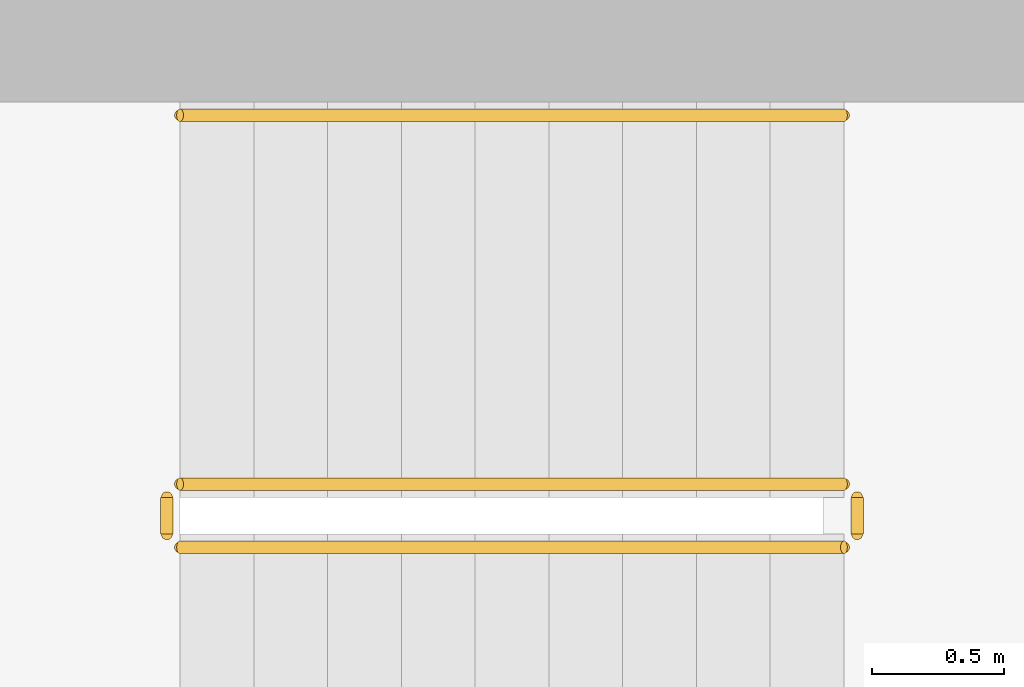
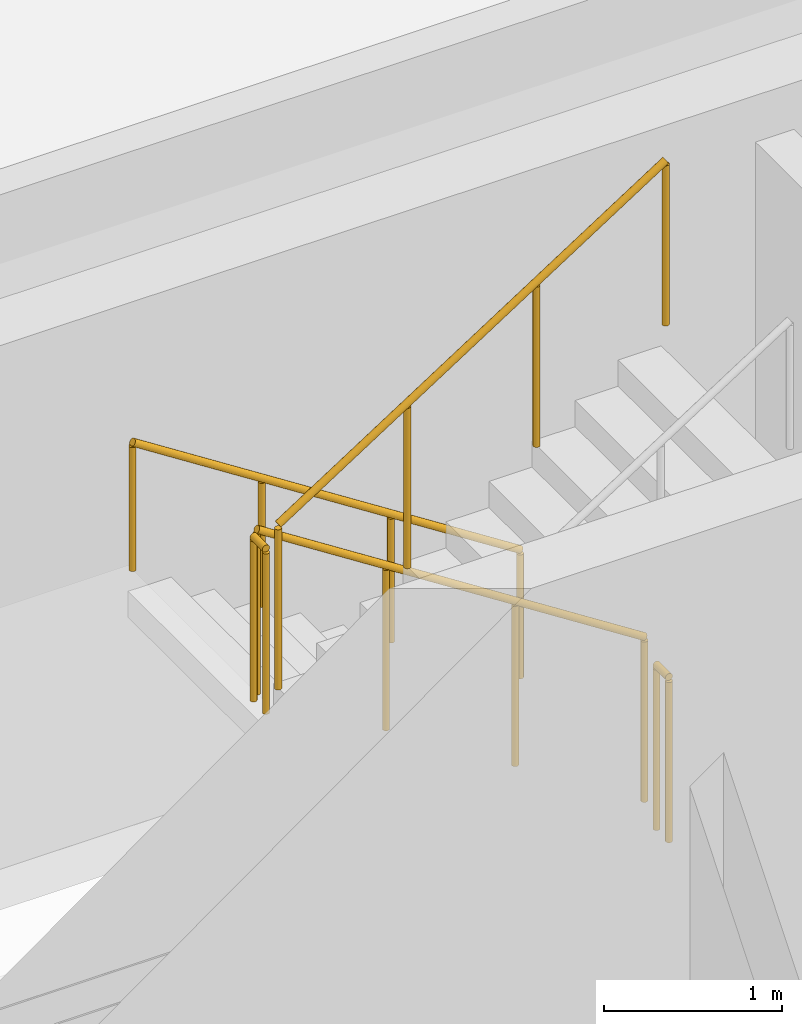
# One storey, part 11 of 12: 5 railings.
"""IFC4 building model written with IfcOpenShell, lengths in metres."""

import ifcopenshell
import ifcopenshell.guid

model = None  # the IFC model being written
_history = None  # IfcOwnerHistory: only IFC2X3 demands one
_inside = {}  # id of a spatial element -> (the spatial element, [elements in it])
_under = {}  # id of a project, library or spatial element -> (it, [spatial elements below it])
_declared = {}  # id of a project -> (the project, [libraries it declares])
_typed = {}  # id of a type object -> (the type object, [elements of that type])
_made_of = {}  # id of a material, layer set ... -> (it, [elements and type objects made of it])


def new_model(schema):
    """Start an empty IFC model of exactly this schema.

    Asked for "IFC4X3", IfcOpenShell would pick the latest addendum, in which some entities
    have other attributes; the version numbers below select the first issue.
    IFC2X3 requires an IfcOwnerHistory on every rooted entity: one is made here for all.
    """
    global model, _history
    if schema == "IFC4X3":
        model = ifcopenshell.file(schema_version=(4, 3, 0, 0))
    else:
        model = ifcopenshell.file(schema=schema)
    _inside.clear()
    _under.clear()
    _declared.clear()
    _typed.clear()
    _made_of.clear()
    _history = None
    if model.schema == "IFC2X3":
        org = make("IfcOrganization", Name="unknown")
        user = make(
            "IfcPersonAndOrganization",
            ThePerson=make("IfcPerson", FamilyName="unknown"),
            TheOrganization=org,
        )
        app = make(
            "IfcApplication",
            ApplicationDeveloper=org,
            Version="unknown",
            ApplicationFullName="unknown",
            ApplicationIdentifier="unknown",
        )
        _history = make(
            "IfcOwnerHistory",
            OwningUser=user,
            OwningApplication=app,
            ChangeAction="ADDED",
            CreationDate=0,
        )
    return model


def make(cls, **values):
    """One entity of the class cls with the attributes given. An attribute that is None is left unset."""
    return model.create_entity(
        cls, **{name: value for name, value in values.items() if value is not None}
    )


def rooted(cls, **values):
    """An entity with a GlobalId (a new one), such as an element, a storey or a relation."""
    return make(cls, GlobalId=ifcopenshell.guid.new(), OwnerHistory=_history, **values)


def si_unit(unit_type, name, prefix=None):
    """IfcSIUnit, for example si_unit("LENGTHUNIT", "METRE", prefix="MILLI")."""
    return make("IfcSIUnit", UnitType=unit_type, Prefix=prefix, Name=name)


def derived_unit(unit_type, elements):
    """IfcDerivedUnit: a product of units, each with its exponent."""
    return make(
        "IfcDerivedUnit",
        Elements=[
            make("IfcDerivedUnitElement", Unit=unit, Exponent=power)
            for unit, power in elements
        ],
        UnitType=unit_type,
    )


def assignment(units):
    """IfcUnitAssignment: the units of a project."""
    return None if units is None else make("IfcUnitAssignment", Units=units)


def point(xyz):
    """IfcCartesianPoint."""
    return None if xyz is None else make("IfcCartesianPoint", Coordinates=xyz)


def direction(xyz):
    """IfcDirection."""
    return None if xyz is None else make("IfcDirection", DirectionRatios=xyz)


def frame(location, z_axis=None, x_axis=None):
    """IfcAxis2Placement3D, a coordinate frame: its origin and axes. An axis left out is left unset."""
    return make(
        "IfcAxis2Placement3D",
        Location=point(location),
        Axis=direction(z_axis),
        RefDirection=direction(x_axis),
    )


def frame_2d(location, x_axis=None):
    """IfcAxis2Placement2D, a coordinate frame in the plane: its origin and x axis."""
    return make(
        "IfcAxis2Placement2D", Location=point(location), RefDirection=direction(x_axis)
    )


def origin():
    """The frame at (0, 0, 0) with its axes left unset."""
    return frame((0.0, 0.0, 0.0))


def origin_2d():
    """The frame at (0, 0) in the plane with its x axis left unset."""
    return frame_2d((0.0, 0.0))


def place(relative_to, where):
    """IfcLocalPlacement: puts the frame where relative to a parent placement (None: the world)."""
    return make(
        "IfcLocalPlacement", PlacementRelTo=relative_to, RelativePlacement=where
    )


def context(
    kind, dimensions, precision=None, world=None, true_north=None, identifier=None
):
    """IfcGeometricRepresentationContext, for example the 3D "Model" context."""
    return make(
        "IfcGeometricRepresentationContext",
        ContextIdentifier=identifier,
        ContextType=kind,
        CoordinateSpaceDimension=dimensions,
        Precision=precision,
        WorldCoordinateSystem=world,
        TrueNorth=true_north,
    )


def subcontext(parent, identifier, kind, view, scale=None):
    """IfcGeometricRepresentationSubContext, for example "Body" below "Model"."""
    return make(
        "IfcGeometricRepresentationSubContext",
        ContextIdentifier=identifier,
        ContextType=kind,
        ParentContext=parent,
        TargetScale=scale,
        TargetView=view,
    )


def project(units=None, contexts=None):
    """IfcProject with its units and contexts."""
    return rooted(
        "IfcProject",
        Name="project",
        RepresentationContexts=contexts,
        UnitsInContext=assignment(units),
    )


def spatial(cls, under=None, at=None, **own):
    """A site, building, storey or space (cls), placed at a placement, below another one or the project."""
    s = rooted(cls, ObjectPlacement=at, **own)
    if under is not None:
        _under.setdefault(under.id(), (under, []))[1].append(s)
    return s


def profile(cls, at=None, kind="AREA", **sizes):
    """A parametric profile (cls). Its sizes go by their IFC names, for example OverallWidth=200.0."""
    return make(cls, ProfileType=kind, Position=at, **sizes)


def circle(**sizes):
    """IfcCircleProfileDef."""
    return profile("IfcCircleProfileDef", **sizes)


def extrude(swept, where, along, depth):
    """IfcExtrudedAreaSolid: the profile swept, set in the frame where, extruded along a direction by depth."""
    return make(
        "IfcExtrudedAreaSolid",
        SweptArea=swept,
        Position=where,
        ExtrudedDirection=direction(along),
        Depth=depth,
    )


def shape(context_of_items, identifier, shape_type, items):
    """IfcShapeRepresentation: the items that make up one representation, for example the "Body"."""
    return make(
        "IfcShapeRepresentation",
        ContextOfItems=context_of_items,
        RepresentationIdentifier=identifier,
        RepresentationType=shape_type,
        Items=items,
    )


def material(Name=None, Category=None):
    """IfcMaterial."""
    return make("IfcMaterial", Name=Name, Category=Category)


def made_of(thing, what):
    """Note that an element or type object is made of a material, layer set ...; save() writes the relation."""
    if what is not None:
        _made_of.setdefault(what.id(), (what, []))[1].append(thing)
    return thing


def type_object(cls, material=None, **own):
    """A type object (cls), such as IfcWallType, which elements share."""
    return made_of(rooted(cls, **own), material)


def element(
    cls,
    number,
    at=None,
    inside=None,
    cuts=None,
    type_object=None,
    material=None,
    context=None,
    identifier="Body",
    shape_type=None,
    held_by="IfcProductDefinitionShape",
    body=None,
    shapes=None,
    **own,
):
    """One element of the class cls, such as IfcWall. Its Tag is "e" and its number.

    at: its placement. inside: the storey or other place that contains it. cuts: it is an
    opening in that element (IfcRelVoidsElement). A single representation is given by context,
    identifier, shape_type and body (its items); several are given by shapes. held_by: the class
    of the entity that holds the representations. save() writes the other relations.
    """
    e = rooted(cls, Tag="e%d" % number, ObjectPlacement=at, **own)
    if body is not None:
        shapes = [shape(context, identifier, shape_type, body)]
    if shapes is not None:
        e.Representation = make(held_by, Representations=shapes)
    if inside is not None:
        _inside.setdefault(inside.id(), (inside, []))[1].append(e)
    if cuts is not None:
        rooted(
            "IfcRelVoidsElement", RelatingBuildingElement=cuts, RelatedOpeningElement=e
        )
    if type_object is not None:
        _typed.setdefault(type_object.id(), (type_object, []))[1].append(e)
    return made_of(e, material)


def aggregate(whole, parts):
    """IfcRelAggregates: a whole, such as a stair, and the parts it consists of."""
    return rooted("IfcRelAggregates", RelatingObject=whole, RelatedObjects=parts)


def save(model, path):
    """Write the relations noted so far, then the file.

    IfcRelAggregates (storeys below a building ...), IfcRelContainedInSpatialStructure (elements
    in a storey), IfcRelDefinesByType, IfcRelAssociatesMaterial and IfcRelDeclares: one each for
    every whole, place, type object, material and project.
    """
    for whole, parts in _under.values():
        aggregate(whole, parts)
    for where, things in _inside.values():
        rooted(
            "IfcRelContainedInSpatialStructure",
            RelatedElements=things,
            RelatingStructure=where,
        )
    for kind, things in _typed.values():
        rooted("IfcRelDefinesByType", RelatedObjects=things, RelatingType=kind)
    for what, things in _made_of.values():
        rooted("IfcRelAssociatesMaterial", RelatedObjects=things, RelatingMaterial=what)
    for by, libraries in _declared.values():
        rooted("IfcRelDeclares", RelatingContext=by, RelatedDefinitions=libraries)
    model.write(path)


model = new_model("IFC4")

# Units and contexts
model_context = context("Model", 3, precision=1e-05, world=origin(), true_north=direction((0.0, 1.0)))
body_context = subcontext(model_context, "Body", "Model", "MODEL_VIEW")
ifc_project = project(units=[si_unit("LENGTHUNIT", "METRE"), si_unit("AREAUNIT", "SQUARE_METRE"), si_unit("VOLUMEUNIT", "CUBIC_METRE"), si_unit("PLANEANGLEUNIT", "RADIAN"), si_unit("MASSUNIT", "GRAM", prefix="KILO"), derived_unit("THERMALTRANSMITTANCEUNIT", [(si_unit("POWERUNIT", "WATT"), 1), (si_unit("LENGTHUNIT", "METRE"), -2), (si_unit("THERMODYNAMICTEMPERATUREUNIT", "KELVIN"), -1)])], contexts=[model_context])

# Site, building, storey
site_placement = place(None, origin())
site = spatial("IfcSite", under=ifc_project, at=site_placement, CompositionType="ELEMENT")
building_placement = place(site_placement, origin())
building = spatial("IfcBuilding", under=site, at=building_placement, Name="Kivonza Crest Hotel", CompositionType="ELEMENT")
storey_placement = place(building_placement, frame((0.0, 0.0, 195.5)))
storey = spatial("IfcBuildingStorey", under=building, at=storey_placement, Name="L53", CompositionType="ELEMENT", Elevation=195.5)

# Railings
ifc_material_1 = material(Name="Brushed stainless steel handrail", Category="steel")
railing_type_1 = type_object("IfcRailingType", Name="RL-HAND-900", PredefinedType="HANDRAIL", material=ifc_material_1)
railing_1_placement = place(storey_placement, frame((12.239990234375, 36.110107421875, 0.179931640625)))
element("IfcRailing", 1, at=railing_1_placement, inside=storey, type_object=railing_type_1, Name="L53 ST-T1-N stair handrail 1", PredefinedType="HANDRAIL", context=body_context, shape_type="SweptSolid", body=[
    extrude(circle(Radius=0.02392578125, at=origin_2d()), frame((0.0, 0.0, 0.8759765625), z_axis=(-0.841162588446, 0.0, 0.540782303519), x_axis=(0.0, -1.0, 0.0)), (0.0, 0.0, 1.0), 2.995849609375),
    extrude(circle(Radius=0.02099609375, at=origin_2d()), origin(), (0.0, 0.0, 1.0), 0.851806640625),
    extrude(circle(Radius=0.02099609375, at=origin_2d()), frame((-0.840087890625, 0.0, 0.5400390625)), (0.0, 0.0, 1.0), 0.851806640625),
    extrude(circle(Radius=0.02099609375, at=origin_2d()), frame((-1.679931640625, 0.0, 1.080078125)), (0.0, 0.0, 1.0), 0.851806640625),
    extrude(circle(Radius=0.02099609375, at=origin_2d()), frame((-2.52001953125, 0.0, 1.6201171875)), (0.0, 0.0, 1.0), 0.851806640625),
])
ifc_material_2 = material(Name="Painted steel balustrade", Category="steel")
railing_type_2 = type_object("IfcRailingType", Name="RL-STAIR-1150", PredefinedType="BALUSTRADE", material=ifc_material_2)
railing_2_placement = place(storey_placement, frame((12.239990234375, 34.7099609375, 0.179931640625)))
element("IfcRailing", 2, at=railing_2_placement, inside=storey, type_object=railing_type_2, Name="L53 ST-T1-N stair guard 1", PredefinedType="BALUSTRADE", context=body_context, shape_type="SweptSolid", body=[
    extrude(circle(Radius=0.02392578125, at=origin_2d()), frame((0.0, 0.0, 1.1259765625), z_axis=(-0.841162588446, 0.0, 0.540782303519), x_axis=(0.0, -1.0, 0.0)), (0.0, 0.0, 1.0), 2.995849609375),
    extrude(circle(Radius=0.02099609375, at=origin_2d()), origin(), (0.0, 0.0, 1.0), 1.101806640625),
    extrude(circle(Radius=0.02099609375, at=origin_2d()), frame((-0.840087890625, 0.0, 0.5400390625)), (0.0, 0.0, 1.0), 1.101806640625),
    extrude(circle(Radius=0.02099609375, at=origin_2d()), frame((-1.679931640625, 0.0, 1.080078125)), (0.0, 0.0, 1.0), 1.101806640625),
    extrude(circle(Radius=0.02099609375, at=origin_2d()), frame((-2.52001953125, 0.0, 1.6201171875)), (0.0, 0.0, 1.0), 1.101806640625),
])
railing_3_placement = place(storey_placement, frame((9.669921875, 34.659912109375, 1.800048828125)))
element("IfcRailing", 3, at=railing_3_placement, inside=storey, type_object=railing_type_2, Name="L53 ST-T1-N stair guard 2", PredefinedType="BALUSTRADE", context=body_context, shape_type="SweptSolid", body=[
    extrude(circle(Radius=0.02392578125, at=origin_2d()), frame((0.0, 0.0, 1.1259765625), z_axis=(0.0, -1.0, 0.0), x_axis=(1.0, 0.0, 0.0)), (0.0, 0.0, 1.0), 0.139892578125),
    extrude(circle(Radius=0.02099609375, at=origin_2d()), origin(), (0.0, 0.0, 1.0), 1.101806640625),
    extrude(circle(Radius=0.02099609375, at=origin_2d()), frame((0.0, -0.139892578125, 0.0)), (0.0, 0.0, 1.0), 1.101806640625),
])
railing_4_placement = place(storey_placement, frame((9.719970703125, 34.469970703125, 1.97998046875)))
element("IfcRailing", 4, at=railing_4_placement, inside=storey, type_object=railing_type_2, Name="L53 ST-T1-N stair guard 3", PredefinedType="BALUSTRADE", context=body_context, shape_type="SweptSolid", body=[
    extrude(circle(Radius=0.02392578125, at=origin_2d()), frame((0.0, 0.0, 1.1259765625), z_axis=(0.841162588446, 0.0, 0.540782303519), x_axis=(0.0, 1.0, 0.0)), (0.0, 0.0, 1.0), 2.995849609375),
    extrude(circle(Radius=0.02099609375, at=origin_2d()), origin(), (0.0, 0.0, 1.0), 1.101806640625),
    extrude(circle(Radius=0.02099609375, at=origin_2d()), frame((0.840087890625, 0.0, 0.5400390625)), (0.0, 0.0, 1.0), 1.101806640625),
    extrude(circle(Radius=0.02099609375, at=origin_2d()), frame((1.679931640625, 0.0, 1.080078125)), (0.0, 0.0, 1.0), 1.101806640625),
    extrude(circle(Radius=0.02099609375, at=origin_2d()), frame((2.52001953125, 0.0, 1.6201171875)), (0.0, 0.0, 1.0), 1.101806640625),
])
railing_5_placement = place(storey_placement, frame((12.2900390625, 34.659912109375, 0.0)))
element("IfcRailing", 5, at=railing_5_placement, inside=storey, type_object=railing_type_2, Name="L53 ST-T1-N stair guard 4", PredefinedType="BALUSTRADE", context=body_context, shape_type="SweptSolid", body=[
    extrude(circle(Radius=0.02392578125, at=origin_2d()), frame((0.0, 0.0, 1.1259765625), z_axis=(0.0, -1.0, 0.0), x_axis=(1.0, 0.0, 0.0)), (0.0, 0.0, 1.0), 0.139892578125),
    extrude(circle(Radius=0.02099609375, at=origin_2d()), origin(), (0.0, 0.0, 1.0), 1.101806640625),
    extrude(circle(Radius=0.02099609375, at=origin_2d()), frame((0.0, -0.139892578125, 0.0)), (0.0, 0.0, 1.0), 1.101806640625),
])

save(model, "model.ifc")
